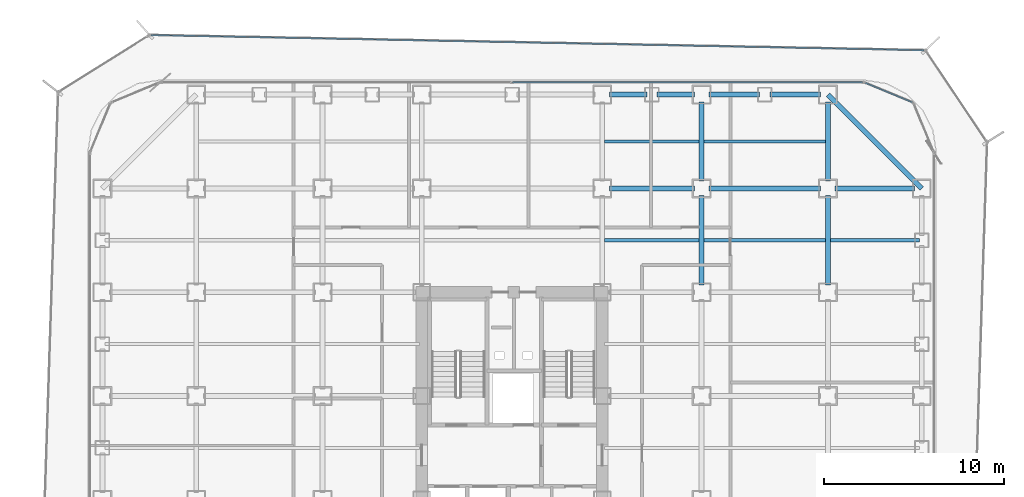
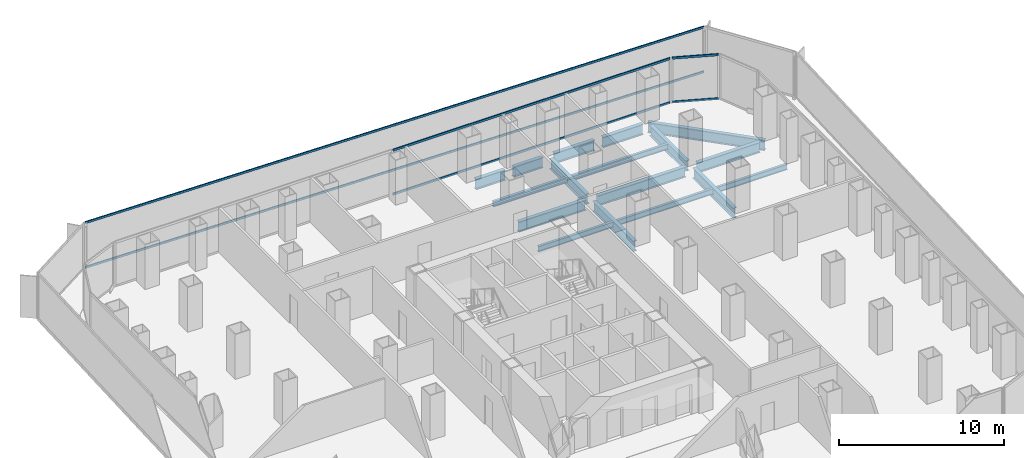
# One storey, part 14 of 21: 17 beams, 6 members, 3 elements without a shape of their own.
"""IFC4 building model written with IfcOpenShell, lengths in metres."""

from ifc_helpers import new_model, si_unit, direction, frame, origin, origin_2d, place, context, subcontext, project, spatial, hollow_rectangle, i_section, extrude, source, transform, mapped, material, layer, layer_set, material_profile, profile_set, type_object, element, aggregate, save


model = new_model("IFC4")

# Units and contexts
model_context = context("Model", 3, precision=1e-05, world=origin(), true_north=direction((0.0, 1.0)))
body_context = subcontext(model_context, "Body", "Model", "MODEL_VIEW")
ifc_project = project(units=[si_unit("LENGTHUNIT", "METRE"), si_unit("AREAUNIT", "SQUARE_METRE"), si_unit("VOLUMEUNIT", "CUBIC_METRE"), si_unit("PLANEANGLEUNIT", "RADIAN"), si_unit("MASSUNIT", "GRAM", prefix="KILO")], contexts=[model_context])

# Site, building, storey
site_placement = place(None, origin())
site = spatial("IfcSite", under=ifc_project, at=site_placement, CompositionType="ELEMENT")
building_placement = place(site_placement, origin())
building = spatial("IfcBuilding", under=site, at=building_placement, Name="Kolveth Station Tower", CompositionType="ELEMENT")
storey_placement = place(building_placement, frame((0.0, 0.0, 33.300048828125)))
storey = spatial("IfcBuildingStorey", under=building, at=storey_placement, Name="L08", CompositionType="ELEMENT", Elevation=33.300048828125)

# Beams
ifc_material_1 = material(Name="Steel S355", Category="steel")
ifc_material_profile_1 = material_profile(ifc_material_1, i_section(OverallWidth=0.26904296875, OverallDepth=0.77490234375, WebThickness=0.01708984375, FlangeThickness=0.0283203125, at=origin_2d()), Name="W760x220")
ifc_profile_set_1 = profile_set([ifc_material_profile_1], Name="Steel S355")
beam_type_1 = type_object("IfcBeamType", Name="Beam_SP1", PredefinedType="SPANDREL", material=ifc_profile_set_1)
shared_shape_1 = source(origin(), body_context, "Body", "SweptSolid", [
    extrude(i_section(OverallWidth=0.26904296875, OverallDepth=0.77490234375, WebThickness=0.01708984375, FlangeThickness=0.0283203125, at=origin_2d()), origin(), (0.0, 0.0, 1.0), 7.353759765625),
])
beam_1_placement = place(storey_placement, frame((46.199951171875, 34.5, -0.66748046875), z_axis=(-0.707106781187, 0.707106781187, 0.0), x_axis=(-0.707106781187, -0.707106781187, 0.0)))
element("IfcBeam", 1, at=beam_1_placement, inside=storey, type_object=beam_type_1, Name="L08 Corner Edge Girder BM-L08-CNR-NE", PredefinedType="SPANDREL", context=body_context, shape_type="MappedRepresentation", body=[
    mapped(shared_shape_1, transform((0.0, 0.0, 0.0), x_axis=(1.0, 0.0, 0.0), y_axis=(0.0, 1.0, 0.0), z_axis=(0.0, 0.0, 1.0), scale=1.0)),
])
shared_shape_2 = source(origin(), body_context, "Body", "SweptSolid", [
    extrude(i_section(OverallWidth=0.26904296875, OverallDepth=0.77490234375, WebThickness=0.01708984375, FlangeThickness=0.0283203125, at=origin_2d()), origin(), (0.0, 0.0, 1.0), 2.820068359375),
])
for number, where, z_axis, x_axis, name in (
    (2, (34.39990234375, 39.699951171875, -0.66748046875), (1.0, 0.0, 0.0), (0.0, 1.0, 0.0), "L08 Perimeter Spandrel BM-L08-PN-9"),
    (3, (37.780029296875, 39.699951171875, -0.66748046875), (1.0, 0.0, 0.0), (0.0, 1.0, 0.0), "L08 Perimeter Spandrel BM-L08-PN-10"),
):
    element("IfcBeam", number, at=place(storey_placement, frame(where, z_axis=z_axis, x_axis=x_axis)), inside=storey, type_object=beam_type_1, Name=name, PredefinedType="SPANDREL", context=body_context, shape_type="MappedRepresentation", body=[
        mapped(shared_shape_2, transform((0.0, 0.0, 0.0), x_axis=(1.0, 0.0, 0.0), y_axis=(0.0, 1.0, 0.0), z_axis=(0.0, 0.0, 1.0), scale=1.0)),
    ])
shared_shape_3 = source(origin(), body_context, "Body", "SweptSolid", [
    extrude(i_section(OverallWidth=0.26904296875, OverallDepth=0.77490234375, WebThickness=0.01708984375, FlangeThickness=0.0283203125, at=origin_2d()), origin(), (0.0, 0.0, 1.0), 2.070068359375),
])
for number, where, z_axis, x_axis, name in (
    (4, (28.89990234375, 39.699951171875, -0.66748046875), (1.0, 0.0, 0.0), (0.0, 1.0, 0.0), "L08 Perimeter Spandrel BM-L08-PN-7"),
    (5, (31.530029296875, 39.699951171875, -0.66748046875), (1.0, 0.0, 0.0), (0.0, 1.0, 0.0), "L08 Perimeter Spandrel BM-L08-PN-8"),
):
    element("IfcBeam", number, at=place(storey_placement, frame(where, z_axis=z_axis, x_axis=x_axis)), inside=storey, type_object=beam_type_1, Name=name, PredefinedType="SPANDREL", context=body_context, shape_type="MappedRepresentation", body=[
        mapped(shared_shape_3, transform((0.0, 0.0, 0.0), x_axis=(1.0, 0.0, 0.0), y_axis=(0.0, 1.0, 0.0), z_axis=(0.0, 0.0, 1.0), scale=1.0)),
    ])
ifc_material_profile_2 = material_profile(ifc_material_1, i_section(OverallWidth=0.26708984375, OverallDepth=0.76611328125, WebThickness=0.014892578125, FlangeThickness=0.023681640625, at=origin_2d()), Name="W760x185")
ifc_profile_set_2 = profile_set([ifc_material_profile_2], Name="Steel S355")
beam_type_2 = type_object("IfcBeamType", Name="Beam_B3", PredefinedType="BEAM", material=ifc_profile_set_2)
shared_shape_4 = source(origin(), body_context, "Body", "SweptSolid", [
    extrude(i_section(OverallWidth=0.26708984375, OverallDepth=0.76611328125, WebThickness=0.014892578125, FlangeThickness=0.023681640625, at=origin_2d()), origin(), (0.0, 0.0, 1.0), 4.400146484375),
])
for number, where, z_axis, x_axis, name in (
    (6, (41.39990234375, 34.5, -0.6630859375), (1.0, 0.0, 0.0), (0.0, 1.0, 0.0), "L08 Primary Girder BM-L08-GY345-7"),
    (7, (34.0, 34.89990234375, -0.6630859375), (0.0, 1.0, 0.0), (-1.0, 0.0, 0.0), "L08 Primary Girder BM-L08-GX340-7"),
    (8, (41.0, 34.89990234375, -0.6630859375), (0.0, 1.0, 0.0), (-1.0, 0.0, 0.0), "L08 Primary Girder BM-L08-GX410-7"),
):
    element("IfcBeam", number, at=place(storey_placement, frame(where, z_axis=z_axis, x_axis=x_axis)), inside=storey, type_object=beam_type_2, Name=name, PredefinedType="BEAM", context=body_context, shape_type="MappedRepresentation", body=[
        mapped(shared_shape_4, transform((0.0, 0.0, 0.0), x_axis=(1.0, 0.0, 0.0), y_axis=(0.0, 1.0, 0.0), z_axis=(0.0, 0.0, 1.0), scale=1.0)),
    ])
shared_shape_5 = source(origin(), body_context, "Body", "SweptSolid", [
    extrude(i_section(OverallWidth=0.26708984375, OverallDepth=0.76611328125, WebThickness=0.014892578125, FlangeThickness=0.023681640625, at=origin_2d()), origin(), (0.0, 0.0, 1.0), 6.2001953125),
])
beam_2_placement = place(storey_placement, frame((34.39990234375, 34.5, -0.6630859375), z_axis=(1.0, 0.0, 0.0), x_axis=(0.0, 1.0, 0.0)))
element("IfcBeam", 9, at=beam_2_placement, inside=storey, type_object=beam_type_2, Name="L08 Primary Girder BM-L08-GY345-6", PredefinedType="BEAM", context=body_context, shape_type="MappedRepresentation", body=[
    mapped(shared_shape_5, transform((0.0, 0.0, 0.0), x_axis=(1.0, 0.0, 0.0), y_axis=(0.0, 1.0, 0.0), z_axis=(0.0, 0.0, 1.0), scale=1.0)),
])
shared_shape_6 = source(origin(), body_context, "Body", "SweptSolid", [
    extrude(i_section(OverallWidth=0.26708984375, OverallDepth=0.76611328125, WebThickness=0.014892578125, FlangeThickness=0.023681640625, at=origin_2d()), origin(), (0.0, 0.0, 1.0), 4.7001953125),
])
beam_3_placement = place(storey_placement, frame((28.89990234375, 34.5, -0.6630859375), z_axis=(1.0, 0.0, 0.0), x_axis=(0.0, 1.0, 0.0)))
element("IfcBeam", 10, at=beam_3_placement, inside=storey, type_object=beam_type_2, Name="L08 Primary Girder BM-L08-GY345-5", PredefinedType="BEAM", context=body_context, shape_type="MappedRepresentation", body=[
    mapped(shared_shape_6, transform((0.0, 0.0, 0.0), x_axis=(1.0, 0.0, 0.0), y_axis=(0.0, 1.0, 0.0), z_axis=(0.0, 0.0, 1.0), scale=1.0)),
])
shared_shape_7 = source(origin(), body_context, "Body", "SweptSolid", [
    extrude(i_section(OverallWidth=0.26708984375, OverallDepth=0.76611328125, WebThickness=0.014892578125, FlangeThickness=0.023681640625, at=origin_2d()), origin(), (0.0, 0.0, 1.0), 4.9501953125),
])
for number, where, z_axis, x_axis, name in (
    (11, (34.0, 29.14990234375, -0.6630859375), (0.0, 1.0, 0.0), (-1.0, 0.0, 0.0), "L08 Primary Girder BM-L08-GX340-6"),
    (12, (41.0, 29.14990234375, -0.6630859375), (0.0, 1.0, 0.0), (-1.0, 0.0, 0.0), "L08 Primary Girder BM-L08-GX410-6"),
):
    element("IfcBeam", number, at=place(storey_placement, frame(where, z_axis=z_axis, x_axis=x_axis)), inside=storey, type_object=beam_type_2, Name=name, PredefinedType="BEAM", context=body_context, shape_type="MappedRepresentation", body=[
        mapped(shared_shape_7, transform((0.0, 0.0, 0.0), x_axis=(1.0, 0.0, 0.0), y_axis=(0.0, 1.0, 0.0), z_axis=(0.0, 0.0, 1.0), scale=1.0)),
    ])
ifc_material_profile_3 = material_profile(ifc_material_1, i_section(OverallWidth=0.177978515625, OverallDepth=0.406982421875, WebThickness=0.0078125, FlangeThickness=0.0126953125, at=origin_2d()), Name="W410x60")
ifc_profile_set_3 = profile_set([ifc_material_profile_3], Name="Steel S355")
beam_type_3 = type_object("IfcBeamType", Name="Beam_J1", PredefinedType="JOIST", material=ifc_profile_set_3)
shared_shape_8 = source(origin(), body_context, "Body", "SweptSolid", [
    extrude(i_section(OverallWidth=0.177978515625, OverallDepth=0.406982421875, WebThickness=0.0078125, FlangeThickness=0.0126953125, at=origin_2d()), origin(), (0.0, 0.0, 1.0), 4.935791015625),
])
beam_4_placement = place(storey_placement, frame((41.131591796875, 31.625, -0.483642578125), z_axis=(1.0, 0.0, 0.0), x_axis=(0.0, 1.0, 0.0)))
element("IfcBeam", 13, at=beam_4_placement, inside=storey, type_object=beam_type_3, Name="L08 Secondary Joist JST-L08-7-6", PredefinedType="JOIST", context=body_context, shape_type="MappedRepresentation", body=[
    mapped(shared_shape_8, transform((0.0, 0.0, 0.0), x_axis=(1.0, 0.0, 0.0), y_axis=(0.0, 1.0, 0.0), z_axis=(0.0, 0.0, 1.0), scale=1.0)),
])
shared_shape_9 = source(origin(), body_context, "Body", "SweptSolid", [
    extrude(i_section(OverallWidth=0.177978515625, OverallDepth=0.406982421875, WebThickness=0.0078125, FlangeThickness=0.0126953125, at=origin_2d()), origin(), (0.0, 0.0, 1.0), 6.73681640625),
])
for number, where, z_axis, x_axis, name in (
    (14, (34.131591796875, 31.625, -0.483642578125), (1.0, 0.0, 0.0), (0.0, 1.0, 0.0), "L08 Secondary Joist JST-L08-6-6"),
    (15, (34.131591796875, 37.10009765625, -0.483642578125), (1.0, 0.0, 0.0), (0.0, 1.0, 0.0), "L08 Secondary Joist JST-L08-6-7"),
):
    element("IfcBeam", number, at=place(storey_placement, frame(where, z_axis=z_axis, x_axis=x_axis)), inside=storey, type_object=beam_type_3, Name=name, PredefinedType="JOIST", context=body_context, shape_type="MappedRepresentation", body=[
        mapped(shared_shape_9, transform((0.0, 0.0, 0.0), x_axis=(1.0, 0.0, 0.0), y_axis=(0.0, 1.0, 0.0), z_axis=(0.0, 0.0, 1.0), scale=1.0)),
    ])
shared_shape_10 = source(origin(), body_context, "Body", "SweptSolid", [
    extrude(i_section(OverallWidth=0.177978515625, OverallDepth=0.406982421875, WebThickness=0.0078125, FlangeThickness=0.0126953125, at=origin_2d()), origin(), (0.0, 0.0, 1.0), 5.23681640625),
])
for number, where, z_axis, x_axis, name in (
    (16, (28.631591796875, 31.625, -0.483642578125), (1.0, 0.0, 0.0), (0.0, 1.0, 0.0), "L08 Secondary Joist JST-L08-5-6"),
    (17, (28.631591796875, 37.10009765625, -0.483642578125), (1.0, 0.0, 0.0), (0.0, 1.0, 0.0), "L08 Secondary Joist JST-L08-5-7"),
):
    element("IfcBeam", number, at=place(storey_placement, frame(where, z_axis=z_axis, x_axis=x_axis)), inside=storey, type_object=beam_type_3, Name=name, PredefinedType="JOIST", context=body_context, shape_type="MappedRepresentation", body=[
        mapped(shared_shape_10, transform((0.0, 0.0, 0.0), x_axis=(1.0, 0.0, 0.0), y_axis=(0.0, 1.0, 0.0), z_axis=(0.0, 0.0, 1.0), scale=1.0)),
    ])

# Curtain wall, members
ifc_material_2 = material(Name="Aluminium 6063-T6 and low-E dark glass", Category="aluminium")
ifc_layer_1 = layer(ifc_material_2, 0.179931640625)
ifc_layer_set_1 = layer_set([ifc_layer_1], Name="Aluminium 6063-T6 and low-E dark glass")
curtain_wall_type_1 = type_object("IfcCurtainWallType", Name="CurtainWall_CW-Z1", PredefinedType="NOTDEFINED", material=ifc_layer_set_1)
curtain_wall_1_placement = place(storey_placement, origin())
curtain_wall_1 = element("IfcCurtainWall", 18, at=curtain_wall_1_placement, inside=storey, type_object=curtain_wall_type_1, Name="L08 Inner Thermal Curtain Wall 5", PredefinedType="NOTDEFINED")
ifc_material_3 = material(Name="Black anodized aluminium 6063-T6", Category="aluminium")
ifc_material_profile_4 = material_profile(ifc_material_3, hollow_rectangle(XDim=0.074951171875, YDim=0.159912109375, WallThickness=0.0048828125, at=origin_2d()), Name="ALU-75x160x5")
ifc_profile_set_4 = profile_set([ifc_material_profile_4], Name="Black anodized aluminium 6063-T6")
member_type_1 = type_object("IfcMemberType", Name="Transom_TR1", PredefinedType="USERDEFINED", material=ifc_profile_set_4)
shared_shape_11 = source(origin(), body_context, "Body", "SweptSolid", [
    extrude(hollow_rectangle(XDim=0.074951171875, YDim=0.159912109375, WallThickness=0.0048828125, at=origin_2d()), origin(), (0.0, 0.0, 1.0), 2.819580078125),
])
member_1_placement = place(storey_placement, frame((45.67431640625, 39.272216796875, 0.037353515625), z_axis=(-0.923869084389, 0.382708655389, 0.0), x_axis=(-0.382708655389, -0.923869084389, 0.0)))
member_1 = element("IfcMember", 19, at=member_1_placement, type_object=member_type_1, Name="CW-Z1 transom 1.1", ObjectType="TRANSOM", PredefinedType="USERDEFINED", context=body_context, shape_type="MappedRepresentation", body=[
    mapped(shared_shape_11, transform((0.0, 0.0, 0.0), x_axis=(1.0, 0.0, 0.0), y_axis=(0.0, 1.0, 0.0), z_axis=(0.0, 0.0, 1.0), scale=1.0)),
])
member_2_placement = place(storey_placement, frame((45.67431640625, 39.272216796875, 3.282470703125), z_axis=(-0.923869084389, 0.382708655389, 0.0), x_axis=(-0.382708655389, -0.923869084389, 0.0)))
member_2 = element("IfcMember", 20, at=member_2_placement, type_object=member_type_1, Name="CW-Z1 transom 1.2", ObjectType="TRANSOM", PredefinedType="USERDEFINED", context=body_context, shape_type="MappedRepresentation", body=[
    mapped(shared_shape_11, transform((0.0, 0.0, 0.0), x_axis=(1.0, 0.0, 0.0), y_axis=(0.0, 1.0, 0.0), z_axis=(0.0, 0.0, 1.0), scale=1.0)),
])
aggregate(curtain_wall_1, [member_1, member_2])

curtain_wall_2_placement = place(storey_placement, origin())
curtain_wall_2 = element("IfcCurtainWall", 21, at=curtain_wall_2_placement, inside=storey, type_object=curtain_wall_type_1, Name="L08 Inner Thermal Curtain Wall 6", PredefinedType="NOTDEFINED")
shared_shape_12 = source(origin(), body_context, "Body", "SweptSolid", [
    extrude(hollow_rectangle(XDim=0.074951171875, YDim=0.159912109375, WallThickness=0.0048828125, at=origin_2d()), origin(), (0.0, 0.0, 1.0), 19.387451171875),
])
member_3_placement = place(storey_placement, frame((42.925048828125, 40.3798828125, 0.037353515625), z_axis=(-1.0, 0.0, 0.0), x_axis=(0.0, -1.0, 0.0)))
member_3 = element("IfcMember", 22, at=member_3_placement, type_object=member_type_1, Name="CW-Z1 transom 1.1", ObjectType="TRANSOM", PredefinedType="USERDEFINED", context=body_context, shape_type="MappedRepresentation", body=[
    mapped(shared_shape_12, transform((0.0, 0.0, 0.0), x_axis=(1.0, 0.0, 0.0), y_axis=(0.0, 1.0, 0.0), z_axis=(0.0, 0.0, 1.0), scale=1.0)),
])
member_4_placement = place(storey_placement, frame((42.925048828125, 40.3798828125, 3.282470703125), z_axis=(-1.0, 0.0, 0.0), x_axis=(0.0, -1.0, 0.0)))
member_4 = element("IfcMember", 23, at=member_4_placement, type_object=member_type_1, Name="CW-Z1 transom 1.2", ObjectType="TRANSOM", PredefinedType="USERDEFINED", context=body_context, shape_type="MappedRepresentation", body=[
    mapped(shared_shape_12, transform((0.0, 0.0, 0.0), x_axis=(1.0, 0.0, 0.0), y_axis=(0.0, 1.0, 0.0), z_axis=(0.0, 0.0, 1.0), scale=1.0)),
])
aggregate(curtain_wall_2, [member_3, member_4])

ifc_material_4 = material(Name="Black anodized aluminium 6063-T6 and dark solar glass", Category="aluminium")
ifc_layer_2 = layer(ifc_material_4, 0.159912109375)
ifc_layer_set_2 = layer_set([ifc_layer_2], Name="Black anodized aluminium 6063-T6 and dark solar glass")
curtain_wall_type_2 = type_object("IfcCurtainWallType", Name="OUTER SKIN CW-OS", PredefinedType="NOTDEFINED", material=ifc_layer_set_2)
curtain_wall_3_placement = place(storey_placement, origin())
curtain_wall_3 = element("IfcCurtainWall", 24, at=curtain_wall_3_placement, inside=storey, type_object=curtain_wall_type_2, Name="L08 Outer Ventilated Skin Curtain Wall 4", PredefinedType="NOTDEFINED")
ifc_material_profile_5 = material_profile(ifc_material_3, hollow_rectangle(XDim=0.080078125, YDim=0.14990234375, WallThickness=0.0048828125, at=origin_2d()), Name="ALU-80x150x5")
ifc_profile_set_5 = profile_set([ifc_material_profile_5], Name="Black anodized aluminium 6063-T6")
member_type_2 = type_object("IfcMemberType", Name="Transom_TR-OS", PredefinedType="USERDEFINED", material=ifc_profile_set_5)
shared_shape_13 = source(origin(), body_context, "Body", "SweptSolid", [
    extrude(hollow_rectangle(XDim=0.080078125, YDim=0.14990234375, WallThickness=0.0048828125, at=origin_2d()), origin(), (0.0, 0.0, 1.0), 42.822021484375),
])
member_5_placement = place(storey_placement, frame((46.3212890625, 42.157470703125, 0.0400390625), z_axis=(-0.999807880812, 0.019601057761, 0.0), x_axis=(-0.019601057761, -0.999807880812, 0.0)))
member_5 = element("IfcMember", 25, at=member_5_placement, type_object=member_type_2, Name="CW-OS transom 1.1", ObjectType="TRANSOM", PredefinedType="USERDEFINED", context=body_context, shape_type="MappedRepresentation", body=[
    mapped(shared_shape_13, transform((0.0, 0.0, 0.0), x_axis=(1.0, 0.0, 0.0), y_axis=(0.0, 1.0, 0.0), z_axis=(0.0, 0.0, 1.0), scale=1.0)),
])
member_6_placement = place(storey_placement, frame((46.3212890625, 42.157470703125, 3.349853515625), z_axis=(-0.999807880812, 0.019601057761, 0.0), x_axis=(-0.019601057761, -0.999807880812, 0.0)))
member_6 = element("IfcMember", 26, at=member_6_placement, type_object=member_type_2, Name="CW-OS transom 1.2", ObjectType="TRANSOM", PredefinedType="USERDEFINED", context=body_context, shape_type="MappedRepresentation", body=[
    mapped(shared_shape_13, transform((0.0, 0.0, 0.0), x_axis=(1.0, 0.0, 0.0), y_axis=(0.0, 1.0, 0.0), z_axis=(0.0, 0.0, 1.0), scale=1.0)),
])
aggregate(curtain_wall_3, [member_5, member_6])

save(model, "model.ifc")
